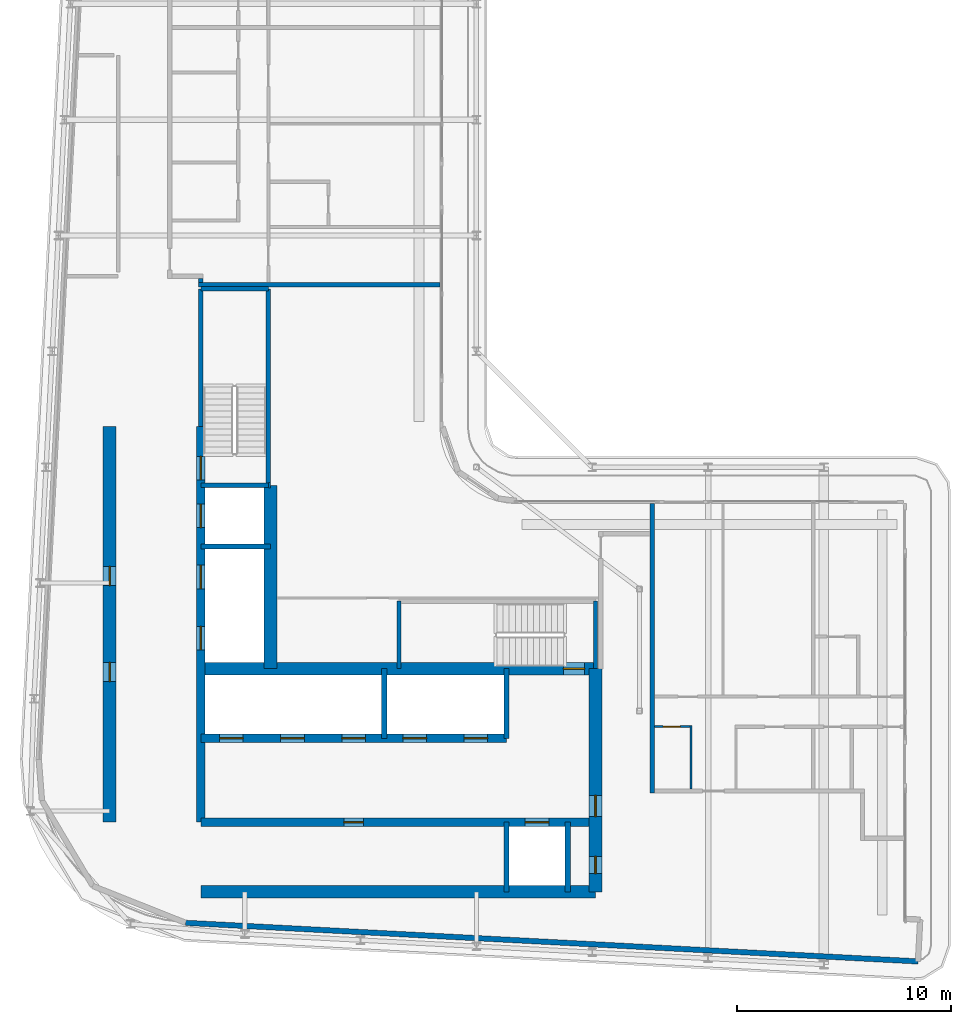
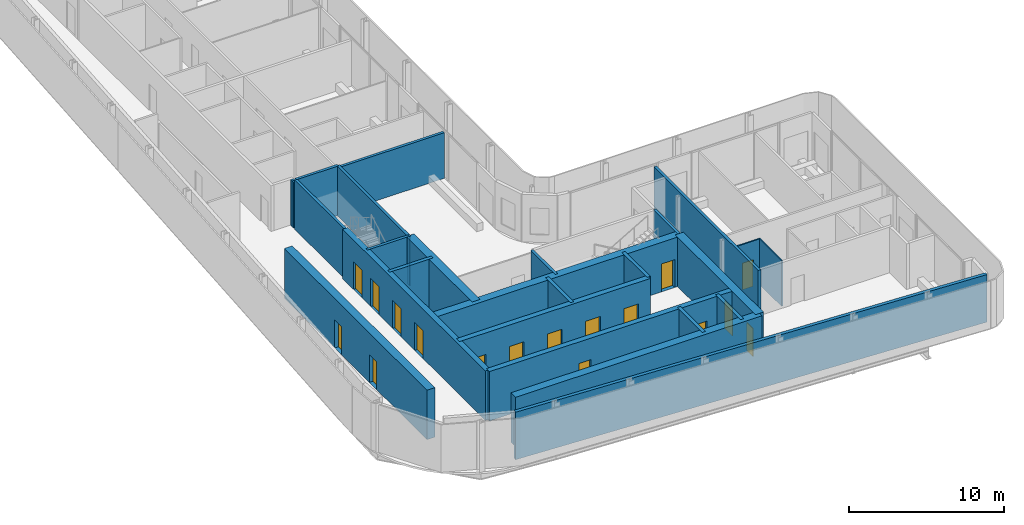
# One storey, part 11 of 21: 26 walls, 17 doors, 17 openings.
"""IFC4 building model written with IfcOpenShell, lengths in metres."""

from ifc_helpers import new_model, si_unit, direction, frame, frame_2d, origin, place, context, subcontext, project, spatial, rectangle, extrude, source, transform, mapped, material, layer, layer_set, type_object, element, fill, save


model = new_model("IFC4")

# Units and contexts
model_context = context("Model", 3, precision=1e-05, world=origin(), true_north=direction((0.0, 1.0)))
body_context = subcontext(model_context, "Body", "Model", "MODEL_VIEW")
ifc_project = project(units=[si_unit("LENGTHUNIT", "METRE"), si_unit("AREAUNIT", "SQUARE_METRE"), si_unit("VOLUMEUNIT", "CUBIC_METRE"), si_unit("PLANEANGLEUNIT", "RADIAN"), si_unit("MASSUNIT", "GRAM", prefix="KILO")], contexts=[model_context])

# Site, building, storey
site_placement = place(None, origin())
site = spatial("IfcSite", under=ifc_project, at=site_placement, CompositionType="ELEMENT")
building_placement = place(site_placement, origin())
building = spatial("IfcBuilding", under=site, at=building_placement, Name="Kheshtan School and Residences Tower", CompositionType="ELEMENT")
storey_placement = place(building_placement, frame((0.0, 0.0, 302.0)))
storey = spatial("IfcBuildingStorey", under=building, at=storey_placement, Name="L71", CompositionType="ELEMENT", Elevation=302.0)

# Wall, openings, doors
ifc_material_1 = material(Name="Concrete C50/60", Category="concrete")
ifc_layer_1 = layer(ifc_material_1, 0.39990234375)
ifc_layer_set_1 = layer_set([ifc_layer_1], Name="Core wall 400 Concrete C50/60")
wall_type_1 = type_object("IfcWallType", Name="Core wall 400 Concrete C50/60", PredefinedType="SHEAR", material=ifc_layer_set_1)
wall_1_placement = place(storey_placement, frame((34.75, 29.050048828125, 0.0), z_axis=(0.0, 0.0, 1.0), x_axis=(1.0, 0.0, 0.0)))
wall_1 = element("IfcWall", 1, at=wall_1_placement, inside=storey, type_object=wall_type_1, Name="Core wall CW-HALL-S1", PredefinedType="SHEAR", context=body_context, shape_type="SweptSolid", body=[
    extrude(rectangle(XDim=18.39990234375, YDim=0.39990234375, at=frame_2d((9.199951171875, 0.0))), origin(), (0.0, 0.0, 1.0), 3.89990234375),
])
opening_1_placement = place(wall_1_placement, frame((15.125, 0.0, 0.0)))
opening_1 = element("IfcOpeningElement", 2, at=opening_1_placement, cuts=wall_1, Name="Opening LD", PredefinedType="OPENING", context=body_context, shape_type="SweptSolid", body=[
    extrude(rectangle(XDim=1.10009765625, YDim=2.199951171875, at=frame_2d((0.550048828125, 1.10009765625))), frame((0.0, 0.2099609375, 0.0), z_axis=(0.0, -1.0, 0.0), x_axis=(1.0, 0.0, 0.0)), (0.0, 0.0, 1.0), 0.419921875),
])
opening_2_placement = place(wall_1_placement, frame((6.675048828125, 0.0, 0.0)))
opening_2 = element("IfcOpeningElement", 3, at=opening_2_placement, cuts=wall_1, Name="Opening SR90", PredefinedType="OPENING", context=body_context, shape_type="SweptSolid", body=[
    extrude(rectangle(XDim=0.89990234375, YDim=2.199951171875, at=frame_2d((0.449951171875, 1.10009765625))), frame((0.0, 0.2099609375, 0.0), z_axis=(0.0, -1.0, 0.0), x_axis=(1.0, 0.0, 0.0)), (0.0, 0.0, 1.0), 0.419921875),
])
ifc_material_2 = material(Name="Stainless steel door leaves", Category="steel")
door_type_1 = type_object("IfcDoorType", Name="Lift landing door 1100", OperationType="SLIDING_TO_LEFT", PredefinedType="DOOR", material=ifc_material_2)
shared_shape_1 = source(origin(), body_context, "Body", "SweptSolid", [
    extrude(rectangle(XDim=1.10009765625, YDim=2.199951171875, at=frame_2d((0.550048828125, 1.10009765625))), frame((0.0, 0.02490234375, 0.0), z_axis=(0.0, -1.0, 0.0), x_axis=(1.0, 0.0, 0.0)), (0.0, 0.0, 1.0), 0.050048828125),
])
door_1_placement = place(opening_1_placement, origin())
door_1 = element("IfcDoor", 4, at=door_1_placement, inside=storey, type_object=door_type_1, Name="Lift FFL2 landing door", OperationType="SLIDING_TO_LEFT", OverallHeight=2.199951171875, OverallWidth=1.10009765625, PredefinedType="DOOR", context=body_context, shape_type="MappedRepresentation", body=[
    mapped(shared_shape_1, transform((0.0, 0.0, 0.0), x_axis=(1.0, 0.0, 0.0), y_axis=(0.0, 1.0, 0.0), z_axis=(0.0, 0.0, 1.0), scale=1.0)),
])
fill(opening_1, door_1)
ifc_material_3 = material(Name="Steel door leaf, galvanised", Category="steel")
door_type_2 = type_object("IfcDoorType", Name="Service room door 900 steel 90 min", OperationType="SINGLE_SWING_LEFT", PredefinedType="DOOR", material=ifc_material_3)
shared_shape_2 = source(origin(), body_context, "Body", "SweptSolid", [
    extrude(rectangle(XDim=0.89990234375, YDim=2.199951171875, at=frame_2d((0.449951171875, 1.10009765625))), frame((0.0, 0.02490234375, 0.0), z_axis=(0.0, -1.0, 0.0), x_axis=(1.0, 0.0, 0.0)), (0.0, 0.0, 1.0), 0.050048828125),
])
door_2_placement = place(opening_2_placement, origin())
door_2 = element("IfcDoor", 5, at=door_2_placement, inside=storey, type_object=door_type_2, Name="Service room door", OperationType="SINGLE_SWING_RIGHT", OverallHeight=2.199951171875, OverallWidth=0.89990234375, PredefinedType="DOOR", context=body_context, shape_type="MappedRepresentation", body=[
    mapped(shared_shape_2, transform((0.0, 0.0, 0.0), x_axis=(1.0, 0.0, 0.0), y_axis=(0.0, 1.0, 0.0), z_axis=(0.0, 0.0, 1.0), scale=1.0)),
])
fill(opening_2, door_2)

wall_2_placement = place(storey_placement, frame((34.75, 32.949951171875, 0.0), z_axis=(0.0, 0.0, 1.0), x_axis=(1.0, 0.0, 0.0)))
wall_2 = element("IfcWall", 6, at=wall_2_placement, inside=storey, type_object=wall_type_1, Name="Core wall CW-HALL-S2", PredefinedType="SHEAR", context=body_context, shape_type="SweptSolid", body=[
    extrude(rectangle(XDim=14.25, YDim=0.39990234375, at=frame_2d((7.125, 0.0))), origin(), (0.0, 0.0, 1.0), 3.89990234375),
])
opening_3_placement = place(wall_2_placement, frame((0.875, 0.0, 0.0)))
opening_3 = element("IfcOpeningElement", 7, at=opening_3_placement, cuts=wall_2, Name="Opening LD", PredefinedType="OPENING", context=body_context, shape_type="SweptSolid", body=[
    extrude(rectangle(XDim=1.10009765625, YDim=2.199951171875, at=frame_2d((0.550048828125, 1.10009765625))), frame((0.0, 0.2099609375, 0.0), z_axis=(0.0, -1.0, 0.0), x_axis=(1.0, 0.0, 0.0)), (0.0, 0.0, 1.0), 0.419921875),
])
opening_4_placement = place(wall_2_placement, frame((3.72509765625, 0.0, 0.0)))
opening_4 = element("IfcOpeningElement", 8, at=opening_4_placement, cuts=wall_2, Name="Opening LD", PredefinedType="OPENING", context=body_context, shape_type="SweptSolid", body=[
    extrude(rectangle(XDim=1.10009765625, YDim=2.199951171875, at=frame_2d((0.550048828125, 1.10009765625))), frame((0.0, 0.2099609375, 0.0), z_axis=(0.0, -1.0, 0.0), x_axis=(1.0, 0.0, 0.0)), (0.0, 0.0, 1.0), 0.419921875),
])
opening_5_placement = place(wall_2_placement, frame((6.574951171875, 0.0, 0.0)))
opening_5 = element("IfcOpeningElement", 9, at=opening_5_placement, cuts=wall_2, Name="Opening LD", PredefinedType="OPENING", context=body_context, shape_type="SweptSolid", body=[
    extrude(rectangle(XDim=1.10009765625, YDim=2.199951171875, at=frame_2d((0.550048828125, 1.10009765625))), frame((0.0, 0.2099609375, 0.0), z_axis=(0.0, -1.0, 0.0), x_axis=(1.0, 0.0, 0.0)), (0.0, 0.0, 1.0), 0.419921875),
])
opening_6_placement = place(wall_2_placement, frame((9.425048828125, 0.0, 0.0)))
opening_6 = element("IfcOpeningElement", 10, at=opening_6_placement, cuts=wall_2, Name="Opening LD", PredefinedType="OPENING", context=body_context, shape_type="SweptSolid", body=[
    extrude(rectangle(XDim=1.10009765625, YDim=2.199951171875, at=frame_2d((0.550048828125, 1.10009765625))), frame((0.0, 0.2099609375, 0.0), z_axis=(0.0, -1.0, 0.0), x_axis=(1.0, 0.0, 0.0)), (0.0, 0.0, 1.0), 0.419921875),
])
opening_7_placement = place(wall_2_placement, frame((12.27490234375, 0.0, 0.0)))
opening_7 = element("IfcOpeningElement", 11, at=opening_7_placement, cuts=wall_2, Name="Opening LD", PredefinedType="OPENING", context=body_context, shape_type="SweptSolid", body=[
    extrude(rectangle(XDim=1.10009765625, YDim=2.199951171875, at=frame_2d((0.550048828125, 1.10009765625))), frame((0.0, 0.2099609375, 0.0), z_axis=(0.0, -1.0, 0.0), x_axis=(1.0, 0.0, 0.0)), (0.0, 0.0, 1.0), 0.419921875),
])
door_3_placement = place(opening_3_placement, origin())
door_3 = element("IfcDoor", 12, at=door_3_placement, inside=storey, type_object=door_type_1, Name="Lift P12 landing door", OperationType="SLIDING_TO_LEFT", OverallHeight=2.199951171875, OverallWidth=1.10009765625, PredefinedType="DOOR", context=body_context, shape_type="MappedRepresentation", body=[
    mapped(shared_shape_1, transform((0.0, 0.0, 0.0), x_axis=(1.0, 0.0, 0.0), y_axis=(0.0, 1.0, 0.0), z_axis=(0.0, 0.0, 1.0), scale=1.0)),
])
fill(opening_3, door_3)
door_4_placement = place(opening_4_placement, origin())
door_4 = element("IfcDoor", 13, at=door_4_placement, inside=storey, type_object=door_type_1, Name="Lift P13 landing door", OperationType="SLIDING_TO_LEFT", OverallHeight=2.199951171875, OverallWidth=1.10009765625, PredefinedType="DOOR", context=body_context, shape_type="MappedRepresentation", body=[
    mapped(shared_shape_1, transform((0.0, 0.0, 0.0), x_axis=(1.0, 0.0, 0.0), y_axis=(0.0, 1.0, 0.0), z_axis=(0.0, 0.0, 1.0), scale=1.0)),
])
fill(opening_4, door_4)
door_5_placement = place(opening_5_placement, origin())
door_5 = element("IfcDoor", 14, at=door_5_placement, inside=storey, type_object=door_type_1, Name="Lift P14 landing door", OperationType="SLIDING_TO_LEFT", OverallHeight=2.199951171875, OverallWidth=1.10009765625, PredefinedType="DOOR", context=body_context, shape_type="MappedRepresentation", body=[
    mapped(shared_shape_1, transform((0.0, 0.0, 0.0), x_axis=(1.0, 0.0, 0.0), y_axis=(0.0, 1.0, 0.0), z_axis=(0.0, 0.0, 1.0), scale=1.0)),
])
fill(opening_5, door_5)
door_6_placement = place(opening_6_placement, origin())
door_6 = element("IfcDoor", 15, at=door_6_placement, inside=storey, type_object=door_type_1, Name="Lift P15 landing door", OperationType="SLIDING_TO_LEFT", OverallHeight=2.199951171875, OverallWidth=1.10009765625, PredefinedType="DOOR", context=body_context, shape_type="MappedRepresentation", body=[
    mapped(shared_shape_1, transform((0.0, 0.0, 0.0), x_axis=(1.0, 0.0, 0.0), y_axis=(0.0, 1.0, 0.0), z_axis=(0.0, 0.0, 1.0), scale=1.0)),
])
fill(opening_6, door_6)
door_7_placement = place(opening_7_placement, origin())
door_7 = element("IfcDoor", 16, at=door_7_placement, inside=storey, type_object=door_type_1, Name="Lift P16 landing door", OperationType="SLIDING_TO_LEFT", OverallHeight=2.199951171875, OverallWidth=1.10009765625, PredefinedType="DOOR", context=body_context, shape_type="MappedRepresentation", body=[
    mapped(shared_shape_1, transform((0.0, 0.0, 0.0), x_axis=(1.0, 0.0, 0.0), y_axis=(0.0, 1.0, 0.0), z_axis=(0.0, 0.0, 1.0), scale=1.0)),
])
fill(opening_7, door_7)

wall_3_placement = place(storey_placement, frame((34.75, 29.050048828125, 0.0), z_axis=(0.0, 0.0, 1.0), x_axis=(0.0, 1.0, 0.0)))
wall_3 = element("IfcWall", 17, at=wall_3_placement, inside=storey, type_object=wall_type_1, Name="Core wall CW-HALL-W1", PredefinedType="SHEAR", context=body_context, shape_type="SweptSolid", body=[
    extrude(rectangle(XDim=18.449951171875, YDim=0.39990234375, at=frame_2d((9.22509765625, 0.0))), origin(), (0.0, 0.0, 1.0), 3.89990234375),
])
opening_8_placement = place(wall_3_placement, frame((8.02490234375, 0.0, 0.0)))
opening_8 = element("IfcOpeningElement", 18, at=opening_8_placement, cuts=wall_3, Name="Opening LD", PredefinedType="OPENING", context=body_context, shape_type="SweptSolid", body=[
    extrude(rectangle(XDim=1.10009765625, YDim=2.199951171875, at=frame_2d((0.550048828125, 1.10009765625))), frame((0.0, 0.2099609375, 0.0), z_axis=(0.0, -1.0, 0.0), x_axis=(1.0, 0.0, 0.0)), (0.0, 0.0, 1.0), 0.419921875),
])
opening_9_placement = place(wall_3_placement, frame((10.875, 0.0, 0.0)))
opening_9 = element("IfcOpeningElement", 19, at=opening_9_placement, cuts=wall_3, Name="Opening LD", PredefinedType="OPENING", context=body_context, shape_type="SweptSolid", body=[
    extrude(rectangle(XDim=1.10009765625, YDim=2.199951171875, at=frame_2d((0.550048828125, 1.10009765625))), frame((0.0, 0.2099609375, 0.0), z_axis=(0.0, -1.0, 0.0), x_axis=(1.0, 0.0, 0.0)), (0.0, 0.0, 1.0), 0.419921875),
])
opening_10_placement = place(wall_3_placement, frame((13.72509765625, 0.0, 0.0)))
opening_10 = element("IfcOpeningElement", 20, at=opening_10_placement, cuts=wall_3, Name="Opening LD", PredefinedType="OPENING", context=body_context, shape_type="SweptSolid", body=[
    extrude(rectangle(XDim=1.10009765625, YDim=2.199951171875, at=frame_2d((0.550048828125, 1.10009765625))), frame((0.0, 0.2099609375, 0.0), z_axis=(0.0, -1.0, 0.0), x_axis=(1.0, 0.0, 0.0)), (0.0, 0.0, 1.0), 0.419921875),
])
opening_11_placement = place(wall_3_placement, frame((15.949951171875, 0.0, 0.0)))
opening_11 = element("IfcOpeningElement", 21, at=opening_11_placement, cuts=wall_3, Name="Opening ST2D", PredefinedType="OPENING", context=body_context, shape_type="SweptSolid", body=[
    extrude(rectangle(XDim=1.10009765625, YDim=2.199951171875, at=frame_2d((0.550048828125, 1.10009765625))), frame((0.0, 0.2099609375, 0.0), z_axis=(0.0, -1.0, 0.0), x_axis=(1.0, 0.0, 0.0)), (0.0, 0.0, 1.0), 0.419921875),
])
door_8_placement = place(opening_8_placement, origin())
door_8 = element("IfcDoor", 22, at=door_8_placement, inside=storey, type_object=door_type_1, Name="Lift SV1 landing door", OperationType="SLIDING_TO_LEFT", OverallHeight=2.199951171875, OverallWidth=1.10009765625, PredefinedType="DOOR", context=body_context, shape_type="MappedRepresentation", body=[
    mapped(shared_shape_1, transform((0.0, 0.0, 0.0), x_axis=(1.0, 0.0, 0.0), y_axis=(0.0, 1.0, 0.0), z_axis=(0.0, 0.0, 1.0), scale=1.0)),
])
fill(opening_8, door_8)
door_9_placement = place(opening_9_placement, origin())
door_9 = element("IfcDoor", 23, at=door_9_placement, inside=storey, type_object=door_type_1, Name="Lift SV2 landing door", OperationType="SLIDING_TO_LEFT", OverallHeight=2.199951171875, OverallWidth=1.10009765625, PredefinedType="DOOR", context=body_context, shape_type="MappedRepresentation", body=[
    mapped(shared_shape_1, transform((0.0, 0.0, 0.0), x_axis=(1.0, 0.0, 0.0), y_axis=(0.0, 1.0, 0.0), z_axis=(0.0, 0.0, 1.0), scale=1.0)),
])
fill(opening_9, door_9)
door_10_placement = place(opening_10_placement, origin())
door_10 = element("IfcDoor", 24, at=door_10_placement, inside=storey, type_object=door_type_1, Name="Lift FFL1 landing door", OperationType="SLIDING_TO_LEFT", OverallHeight=2.199951171875, OverallWidth=1.10009765625, PredefinedType="DOOR", context=body_context, shape_type="MappedRepresentation", body=[
    mapped(shared_shape_1, transform((0.0, 0.0, 0.0), x_axis=(1.0, 0.0, 0.0), y_axis=(0.0, 1.0, 0.0), z_axis=(0.0, 0.0, 1.0), scale=1.0)),
])
fill(opening_10, door_10)
door_type_3 = type_object("IfcDoorType", Name="Stair door 1100 steel 90 min", OperationType="SINGLE_SWING_LEFT", PredefinedType="DOOR", material=ifc_material_3)
shared_shape_3 = source(origin(), body_context, "Body", "SweptSolid", [
    extrude(rectangle(XDim=1.10009765625, YDim=2.199951171875, at=frame_2d((0.550048828125, 1.10009765625))), frame((0.0, 0.02490234375, 0.0), z_axis=(0.0, -1.0, 0.0), x_axis=(1.0, 0.0, 0.0)), (0.0, 0.0, 1.0), 0.050048828125),
])
door_11_placement = place(opening_11_placement, origin())
door_11 = element("IfcDoor", 25, at=door_11_placement, inside=storey, type_object=door_type_3, Name="Stair ST2 door", OperationType="SINGLE_SWING_RIGHT", OverallHeight=2.199951171875, OverallWidth=1.10009765625, PredefinedType="DOOR", context=body_context, shape_type="MappedRepresentation", body=[
    mapped(shared_shape_3, transform((0.0, 0.0, 0.0), x_axis=(1.0, 0.0, 0.0), y_axis=(0.0, 1.0, 0.0), z_axis=(0.0, 0.0, 1.0), scale=1.0)),
])
fill(opening_11, door_11)

# Wall
ifc_material_4 = material(Name="Concrete C60/75", Category="concrete")
ifc_layer_2 = layer(ifc_material_4, 0.60009765625)
ifc_layer_set_2 = layer_set([ifc_layer_2], Name="Core wall 600 Concrete C60/75")
wall_type_2 = type_object("IfcWallType", Name="Core wall 600 Concrete C60/75", PredefinedType="SHEAR", material=ifc_layer_set_2)
wall_4_placement = place(storey_placement, frame((34.75, 25.800048828125, 0.0), z_axis=(0.0, 0.0, 1.0), x_axis=(1.0, 0.0, 0.0)))
element("IfcWall", 26, at=wall_4_placement, inside=storey, type_object=wall_type_2, Name="Core wall CW-REAR-S", PredefinedType="SHEAR", context=body_context, shape_type="SweptSolid", body=[
    extrude(rectangle(XDim=18.39990234375, YDim=0.60009765625, at=frame_2d((9.199951171875, 0.0))), origin(), (0.0, 0.0, 1.0), 3.89990234375),
])

# Wall, opening, door
wall_5_placement = place(storey_placement, frame((34.75, 36.199951171875, 0.0), z_axis=(0.0, 0.0, 1.0), x_axis=(1.0, 0.0, 0.0)))
wall_5 = element("IfcWall", 27, at=wall_5_placement, inside=storey, type_object=wall_type_2, Name="Core wall CW-FRONT-S", PredefinedType="SHEAR", context=body_context, shape_type="SweptSolid", body=[
    extrude(rectangle(XDim=18.39990234375, YDim=0.60009765625, at=frame_2d((9.199951171875, 0.0))), origin(), (0.0, 0.0, 1.0), 3.89990234375),
])
opening_12_placement = place(wall_5_placement, frame((16.89990234375, 0.0, 0.0)))
opening_12 = element("IfcOpeningElement", 28, at=opening_12_placement, cuts=wall_5, Name="Opening ST1D", PredefinedType="OPENING", context=body_context, shape_type="SweptSolid", body=[
    extrude(rectangle(XDim=1.0, YDim=2.199951171875, at=frame_2d((0.5, 1.10009765625))), frame((0.0, 0.31005859375, 0.0), z_axis=(0.0, -1.0, 0.0), x_axis=(1.0, 0.0, 0.0)), (0.0, 0.0, 1.0), 0.6201171875),
])
shared_shape_4 = source(origin(), body_context, "Body", "SweptSolid", [
    extrude(rectangle(XDim=1.0, YDim=2.199951171875, at=frame_2d((0.5, 1.10009765625))), frame((0.0, 0.02490234375, 0.0), z_axis=(0.0, -1.0, 0.0), x_axis=(1.0, 0.0, 0.0)), (0.0, 0.0, 1.0), 0.050048828125),
])
door_12_placement = place(opening_12_placement, origin())
door_12 = element("IfcDoor", 29, at=door_12_placement, inside=storey, type_object=door_type_3, Name="Stair ST1 door", OperationType="SINGLE_SWING_RIGHT", OverallHeight=2.199951171875, OverallWidth=1.0, PredefinedType="DOOR", context=body_context, shape_type="MappedRepresentation", body=[
    mapped(shared_shape_4, transform((0.0, 0.0, 0.0), x_axis=(1.0, 0.0, 0.0), y_axis=(0.0, 1.0, 0.0), z_axis=(0.0, 0.0, 1.0), scale=1.0)),
])
fill(opening_12, door_12)

# Wall
wall_6_placement = place(storey_placement, frame((38.0, 36.199951171875, 0.0), z_axis=(0.0, 0.0, 1.0), x_axis=(0.0, 1.0, 0.0)))
element("IfcWall", 30, at=wall_6_placement, inside=storey, type_object=wall_type_2, Name="Core wall CW-FRONT-W", PredefinedType="SHEAR", context=body_context, shape_type="SweptSolid", body=[
    extrude(rectangle(XDim=8.550048828125, YDim=0.60009765625, at=frame_2d((4.27490234375, 0.0))), origin(), (0.0, 0.0, 1.0), 3.89990234375),
])

# Wall, openings, doors
wall_7_placement = place(storey_placement, frame((30.5, 29.050048828125, 0.0), z_axis=(0.0, 0.0, 1.0), x_axis=(0.0, 1.0, 0.0)))
wall_7 = element("IfcWall", 31, at=wall_7_placement, inside=storey, type_object=wall_type_2, Name="Core wall CW-REAR-W", PredefinedType="SHEAR", context=body_context, shape_type="SweptSolid", body=[
    extrude(rectangle(XDim=18.449951171875, YDim=0.60009765625, at=frame_2d((9.22509765625, 0.0))), origin(), (0.0, 0.0, 1.0), 3.89990234375),
])
opening_13_placement = place(wall_7_placement, frame((6.550048828125, 0.0, 0.0)))
opening_13 = element("IfcOpeningElement", 32, at=opening_13_placement, cuts=wall_7, Name="Opening SR90", PredefinedType="OPENING", context=body_context, shape_type="SweptSolid", body=[
    extrude(rectangle(XDim=0.89990234375, YDim=2.199951171875, at=frame_2d((0.449951171875, 1.10009765625))), frame((0.0, 0.31005859375, 0.0), z_axis=(0.0, -1.0, 0.0), x_axis=(1.0, 0.0, 0.0)), (0.0, 0.0, 1.0), 0.6201171875),
])
opening_14_placement = place(wall_7_placement, frame((11.02490234375, 0.0, 0.0)))
opening_14 = element("IfcOpeningElement", 33, at=opening_14_placement, cuts=wall_7, Name="Opening SR90", PredefinedType="OPENING", context=body_context, shape_type="SweptSolid", body=[
    extrude(rectangle(XDim=0.89990234375, YDim=2.199951171875, at=frame_2d((0.449951171875, 1.10009765625))), frame((0.0, 0.31005859375, 0.0), z_axis=(0.0, -1.0, 0.0), x_axis=(1.0, 0.0, 0.0)), (0.0, 0.0, 1.0), 0.6201171875),
])
door_13_placement = place(opening_13_placement, origin())
door_13 = element("IfcDoor", 34, at=door_13_placement, inside=storey, type_object=door_type_2, Name="Service room door", OperationType="SINGLE_SWING_RIGHT", OverallHeight=2.199951171875, OverallWidth=0.89990234375, PredefinedType="DOOR", context=body_context, shape_type="MappedRepresentation", body=[
    mapped(shared_shape_2, transform((0.0, 0.0, 0.0), x_axis=(1.0, 0.0, 0.0), y_axis=(0.0, 1.0, 0.0), z_axis=(0.0, 0.0, 1.0), scale=1.0)),
])
fill(opening_13, door_13)
door_14_placement = place(opening_14_placement, origin())
door_14 = element("IfcDoor", 35, at=door_14_placement, inside=storey, type_object=door_type_2, Name="Service room door", OperationType="SINGLE_SWING_RIGHT", OverallHeight=2.199951171875, OverallWidth=0.89990234375, PredefinedType="DOOR", context=body_context, shape_type="MappedRepresentation", body=[
    mapped(shared_shape_2, transform((0.0, 0.0, 0.0), x_axis=(1.0, 0.0, 0.0), y_axis=(0.0, 1.0, 0.0), z_axis=(0.0, 0.0, 1.0), scale=1.0)),
])
fill(opening_14, door_14)

wall_8_placement = place(storey_placement, frame((53.14990234375, 25.800048828125, 0.0), z_axis=(0.0, 0.0, 1.0), x_axis=(0.0, 1.0, 0.0)))
wall_8 = element("IfcWall", 36, at=wall_8_placement, inside=storey, type_object=wall_type_2, Name="Core wall CW-EAST", PredefinedType="SHEAR", context=body_context, shape_type="SweptSolid", body=[
    extrude(rectangle(XDim=10.39990234375, YDim=0.60009765625, at=frame_2d((5.199951171875, 0.0))), origin(), (0.0, 0.0, 1.0), 3.89990234375),
])
opening_15_placement = place(wall_8_placement, frame((0.85009765625, 0.0, 0.0)))
opening_15 = element("IfcOpeningElement", 37, at=opening_15_placement, cuts=wall_8, Name="Opening SR80", PredefinedType="OPENING", context=body_context, shape_type="SweptSolid", body=[
    extrude(rectangle(XDim=0.800048828125, YDim=2.199951171875, at=frame_2d((0.39990234375, 1.10009765625))), frame((0.0, 0.31005859375, 0.0), z_axis=(0.0, -1.0, 0.0), x_axis=(1.0, 0.0, 0.0)), (0.0, 0.0, 1.0), 0.6201171875),
])
opening_16_placement = place(wall_8_placement, frame((3.5, 0.0, 0.0)))
opening_16 = element("IfcOpeningElement", 38, at=opening_16_placement, cuts=wall_8, Name="Opening SD91", PredefinedType="OPENING", context=body_context, shape_type="SweptSolid", body=[
    extrude(rectangle(XDim=1.0, YDim=2.199951171875, at=frame_2d((0.5, 1.10009765625))), frame((0.0, 0.31005859375, 0.0), z_axis=(0.0, -1.0, 0.0), x_axis=(1.0, 0.0, 0.0)), (0.0, 0.0, 1.0), 0.6201171875),
])
door_type_4 = type_object("IfcDoorType", Name="Service room door 800 steel 90 min", OperationType="SINGLE_SWING_LEFT", PredefinedType="DOOR", material=ifc_material_3)
shared_shape_5 = source(origin(), body_context, "Body", "SweptSolid", [
    extrude(rectangle(XDim=0.800048828125, YDim=2.199951171875, at=frame_2d((0.39990234375, 1.10009765625))), frame((0.0, 0.02490234375, 0.0), z_axis=(0.0, -1.0, 0.0), x_axis=(1.0, 0.0, 0.0)), (0.0, 0.0, 1.0), 0.050048828125),
])
door_15_placement = place(opening_15_placement, origin())
door_15 = element("IfcDoor", 39, at=door_15_placement, inside=storey, type_object=door_type_4, Name="Service room door", OperationType="SINGLE_SWING_LEFT", OverallHeight=2.199951171875, OverallWidth=0.800048828125, PredefinedType="DOOR", context=body_context, shape_type="MappedRepresentation", body=[
    mapped(shared_shape_5, transform((0.0, 0.0, 0.0), x_axis=(1.0, 0.0, 0.0), y_axis=(0.0, 1.0, 0.0), z_axis=(0.0, 0.0, 1.0), scale=1.0)),
])
fill(opening_15, door_15)
door_type_5 = type_object("IfcDoorType", Name="Firefighting lobby door 1000 steel 90 min", OperationType="SINGLE_SWING_LEFT", PredefinedType="DOOR", material=ifc_material_3)
shared_shape_6 = source(origin(), body_context, "Body", "SweptSolid", [
    extrude(rectangle(XDim=1.0, YDim=2.199951171875, at=frame_2d((0.5, 1.10009765625))), frame((0.0, 0.02490234375, 0.0), z_axis=(0.0, -1.0, 0.0), x_axis=(1.0, 0.0, 0.0)), (0.0, 0.0, 1.0), 0.050048828125),
])
door_16_placement = place(opening_16_placement, origin())
door_16 = element("IfcDoor", 40, at=door_16_placement, inside=storey, type_object=door_type_5, Name="Firefighting lobby door", OperationType="SINGLE_SWING_LEFT", OverallHeight=2.199951171875, OverallWidth=1.0, PredefinedType="DOOR", context=body_context, shape_type="MappedRepresentation", body=[
    mapped(shared_shape_6, transform((0.0, 0.0, 0.0), x_axis=(1.0, 0.0, 0.0), y_axis=(0.0, 1.0, 0.0), z_axis=(0.0, 0.0, 1.0), scale=1.0)),
])
fill(opening_16, door_16)

# Walls
ifc_material_5 = material(Name="Gypsum board on steel studs with fire boards", Category="steel")
ifc_layer_3 = layer(ifc_material_5, 0.199951171875)
ifc_layer_set_3 = layer_set([ifc_layer_3], Name="Corridor wall 200")
wall_type_3 = type_object("IfcWallType", Name="Corridor wall 200", PredefinedType="PARTITIONING", material=ifc_layer_set_3)
wall_9_placement = place(storey_placement, frame((34.75, 54.199951171875, 0.0), z_axis=(0.0, 0.0, 1.0), x_axis=(0.0, 1.0, 0.0)))
element("IfcWall", 41, at=wall_9_placement, inside=storey, type_object=wall_type_3, Name="Partition L71-017", PredefinedType="PARTITIONING", context=body_context, shape_type="SweptSolid", body=[
    extrude(rectangle(XDim=0.199951171875, YDim=0.199951171875, at=frame_2d((0.10009765625, 0.0))), origin(), (0.0, 0.0, 1.0), 3.60009765625),
])
ifc_material_6 = material(Name="Concrete C40/50 with ceramic cladding and mineral wool insulation", Category="concrete")
ifc_layer_4 = layer(ifc_material_6, 0.25)
ifc_layer_set_4 = layer_set([ifc_layer_4], Name="External wall 250 ceramic clad")
wall_type_4 = type_object("IfcWallType", Name="External wall 250 ceramic clad", PredefinedType="SOLIDWALL", material=ifc_layer_set_4)
wall_10_placement = place(storey_placement, frame((68.18603515625, 22.554931640625, 0.0), z_axis=(0.0, 0.0, 1.0), x_axis=(-0.998616468095, 0.052584690257, 0.0)))
element("IfcWall", 42, at=wall_10_placement, inside=storey, type_object=wall_type_4, Name="External wall L71 16", PredefinedType="SOLIDWALL", context=body_context, shape_type="SweptSolid", body=[
    extrude(rectangle(XDim=34.1943359375, YDim=0.25, at=frame_2d((17.09716796875, 0.0))), origin(), (0.0, 0.0, 1.0), 3.75),
])

# Wall, opening, door
ifc_material_7 = material(Name="Gypsum board on steel studs", Category="steel")
ifc_layer_5 = layer(ifc_material_7, 0.10009765625)
ifc_layer_set_5 = layer_set([ifc_layer_5], Name="Gypsum partition 100")
wall_type_5 = type_object("IfcWallType", Name="Gypsum partition 100", PredefinedType="PARTITIONING", material=ifc_layer_set_5)
wall_11_placement = place(storey_placement, frame((55.89990234375, 33.5, 0.0), z_axis=(0.0, 0.0, 1.0), x_axis=(1.0, 0.0, 0.0)))
wall_11 = element("IfcWall", 43, at=wall_11_placement, inside=storey, type_object=wall_type_5, Name="Partition L71-044", PredefinedType="PARTITIONING", context=body_context, shape_type="SweptSolid", body=[
    extrude(rectangle(XDim=1.650146484375, YDim=0.10009765625, at=frame_2d((0.8251953125, 0.0))), origin(), (0.0, 0.0, 1.0), 3.60009765625),
])
opening_17_placement = place(wall_11_placement, frame((0.39990234375, 0.0, 0.0)))
opening_17 = element("IfcOpeningElement", 44, at=opening_17_placement, cuts=wall_11, Name="Opening D70-008", PredefinedType="OPENING", context=body_context, shape_type="SweptSolid", body=[
    extrude(rectangle(XDim=0.800048828125, YDim=2.10009765625, at=frame_2d((0.39990234375, 1.050048828125))), frame((0.0, 0.06005859375, 0.0), z_axis=(0.0, -1.0, 0.0), x_axis=(1.0, 0.0, 0.0)), (0.0, 0.0, 1.0), 0.1201171875),
])
ifc_material_8 = material(Name="Veneered timber door leaf", Category="wood")
door_type_6 = type_object("IfcDoorType", Name="Door 800 x 2100", OperationType="SINGLE_SWING_LEFT", PredefinedType="DOOR", material=ifc_material_8)
shared_shape_7 = source(origin(), body_context, "Body", "SweptSolid", [
    extrude(rectangle(XDim=0.800048828125, YDim=2.10009765625, at=frame_2d((0.39990234375, 1.050048828125))), frame((0.0, 0.02490234375, 0.0), z_axis=(0.0, -1.0, 0.0), x_axis=(1.0, 0.0, 0.0)), (0.0, 0.0, 1.0), 0.050048828125),
])
door_17_placement = place(opening_17_placement, origin())
door_17 = element("IfcDoor", 45, at=door_17_placement, inside=storey, type_object=door_type_6, Name="Door D70-008", OperationType="SINGLE_SWING_RIGHT", OverallHeight=2.10009765625, OverallWidth=0.800048828125, PredefinedType="DOOR", context=body_context, shape_type="MappedRepresentation", body=[
    mapped(shared_shape_7, transform((0.0, 0.0, 0.0), x_axis=(1.0, 0.0, 0.0), y_axis=(0.0, 1.0, 0.0), z_axis=(0.0, 0.0, 1.0), scale=1.0)),
])
fill(opening_17, door_17)

# Walls
wall_12_placement = place(storey_placement, frame((57.60009765625, 30.60009765625, 0.0), z_axis=(0.0, 0.0, 1.0), x_axis=(0.0, 1.0, 0.0)))
element("IfcWall", 46, at=wall_12_placement, inside=storey, type_object=wall_type_5, Name="Partition L71-046", PredefinedType="PARTITIONING", context=body_context, shape_type="SweptSolid", body=[
    extrude(rectangle(XDim=2.949951171875, YDim=0.10009765625, at=frame_2d((1.47509765625, 0.0))), origin(), (0.0, 0.0, 1.0), 3.60009765625),
])
ifc_material_9 = material(Name="Fire-board shaft wall system")
ifc_layer_6 = layer(ifc_material_9, 0.25)
ifc_layer_set_6 = layer_set([ifc_layer_6], Name="Shaft lining wall 250")
wall_type_6 = type_object("IfcWallType", Name="Shaft lining wall 250", PredefinedType="PARTITIONING", material=ifc_layer_set_6)
for number, where, z_axis, x_axis, name in (
    (47, (43.300048828125, 32.949951171875, 0.0), (0.0, 0.0, 1.0), (0.0, 1.0, 0.0), "Shaft lining wall"),
    (48, (49.0, 25.800048828125, 0.0), (0.0, 0.0, 1.0), (0.0, 1.0, 0.0), "Shaft lining wall"),
    (49, (49.0, 32.949951171875, 0.0), (0.0, 0.0, 1.0), (0.0, 1.0, 0.0), "Shaft lining wall"),
    (50, (51.85009765625, 25.800048828125, 0.0), (0.0, 0.0, 1.0), (0.0, 1.0, 0.0), "Shaft lining wall"),
    (51, (34.75, 41.89990234375, 0.0), (0.0, 0.0, 1.0), (1.0, 0.0, 0.0), "Shaft lining wall"),
):
    element("IfcWall", number, at=place(storey_placement, frame(where, z_axis=z_axis, x_axis=x_axis)), inside=storey, type_object=wall_type_6, Name=name, PredefinedType="PARTITIONING", context=body_context, shape_type="SweptSolid", body=[
        extrude(rectangle(XDim=3.25, YDim=0.25, at=frame_2d((1.625, 0.0))), origin(), (0.0, 0.0, 1.0), 3.89990234375),
    ])
wall_13_placement = place(storey_placement, frame((37.89990234375, 44.75, 0.0), z_axis=(0.0, 0.0, 1.0), x_axis=(1.0, 0.0, 0.0)))
element("IfcWall", 52, at=wall_13_placement, inside=storey, type_object=wall_type_6, Name="Shaft lining wall", PredefinedType="PARTITIONING", context=body_context, shape_type="SweptSolid", body=[
    extrude(rectangle(XDim=0.10009765625, YDim=0.25, at=frame_2d((0.050048828125, 0.0))), origin(), (0.0, 0.0, 1.0), 3.89990234375),
])
ifc_material_10 = material(Name="Concrete C40/50", Category="concrete")
ifc_layer_7 = layer(ifc_material_10, 0.199951171875)
ifc_layer_set_7 = layer_set([ifc_layer_7], Name="Stair enclosure wall 200 Concrete C40/50")
wall_type_7 = type_object("IfcWallType", Name="Stair enclosure wall 200 Concrete C40/50", PredefinedType="SHEAR", material=ifc_layer_set_7)
for number, where, z_axis, x_axis, name in (
    (53, (43.989990234375, 36.199951171875, 0.0), (0.0, 0.0, 1.0), (0.0, 1.0, 0.0), "Stair enclosure wall ST1"),
    (54, (53.14990234375, 36.199951171875, 0.0), (0.0, 0.0, 1.0), (0.0, 1.0, 0.0), "Stair enclosure wall ST1"),
):
    element("IfcWall", number, at=place(storey_placement, frame(where, z_axis=z_axis, x_axis=x_axis)), inside=storey, type_object=wall_type_7, Name=name, PredefinedType="SHEAR", context=body_context, shape_type="SweptSolid", body=[
        extrude(rectangle(XDim=3.150146484375, YDim=0.199951171875, at=frame_2d((1.5751953125, 0.0))), origin(), (0.0, 0.0, 1.0), 3.89990234375),
    ])
for number, where, z_axis, x_axis, name in (
    (55, (34.75, 44.75, 0.0), (0.0, 0.0, 1.0), (1.0, 0.0, 0.0), "Stair enclosure wall ST2"),
    (56, (34.75, 53.909912109375, 0.0), (0.0, 0.0, 1.0), (1.0, 0.0, 0.0), "Stair enclosure wall ST2"),
):
    element("IfcWall", number, at=place(storey_placement, frame(where, z_axis=z_axis, x_axis=x_axis)), inside=storey, type_object=wall_type_7, Name=name, PredefinedType="SHEAR", context=body_context, shape_type="SweptSolid", body=[
        extrude(rectangle(XDim=3.14990234375, YDim=0.199951171875, at=frame_2d((1.574951171875, 0.0))), origin(), (0.0, 0.0, 1.0), 3.89990234375),
    ])
wall_14_placement = place(storey_placement, frame((34.75, 47.5, 0.0), z_axis=(0.0, 0.0, 1.0), x_axis=(0.0, 1.0, 0.0)))
element("IfcWall", 57, at=wall_14_placement, inside=storey, type_object=wall_type_7, Name="Stair enclosure wall ST2", PredefinedType="SHEAR", context=body_context, shape_type="SweptSolid", body=[
    extrude(rectangle(XDim=6.409912109375, YDim=0.199951171875, at=frame_2d((3.205078125, 0.0))), origin(), (0.0, 0.0, 1.0), 3.89990234375),
])
wall_15_placement = place(storey_placement, frame((37.89990234375, 44.75, 0.0), z_axis=(0.0, 0.0, 1.0), x_axis=(0.0, 1.0, 0.0)))
element("IfcWall", 58, at=wall_15_placement, inside=storey, type_object=wall_type_7, Name="Stair enclosure wall ST2", PredefinedType="SHEAR", context=body_context, shape_type="SweptSolid", body=[
    extrude(rectangle(XDim=9.159912109375, YDim=0.199951171875, at=frame_2d((4.580078125, 0.0))), origin(), (0.0, 0.0, 1.0), 3.89990234375),
])
ifc_material_11 = material(Name="Twin gypsum board on steel studs with mineral wool", Category="steel")
ifc_layer_8 = layer(ifc_material_11, 0.199951171875)
ifc_layer_set_8 = layer_set([ifc_layer_8], Name="Unit demising wall 200")
wall_type_8 = type_object("IfcWallType", Name="Unit demising wall 200", PredefinedType="PARTITIONING", material=ifc_layer_set_8)
wall_16_placement = place(storey_placement, frame((34.64990234375, 54.10009765625, 0.0), z_axis=(0.0, 0.0, 1.0), x_axis=(1.0, 0.0, 0.0)))
element("IfcWall", 59, at=wall_16_placement, inside=storey, type_object=wall_type_8, Name="Partition L71-016", PredefinedType="PARTITIONING", context=body_context, shape_type="SweptSolid", body=[
    extrude(rectangle(XDim=11.25, YDim=0.199951171875, at=frame_2d((5.625, 0.0))), origin(), (0.0, 0.0, 1.0), 3.60009765625),
])
wall_17_placement = place(storey_placement, frame((55.800048828125, 30.39990234375, 0.0), z_axis=(0.0, 0.0, 1.0), x_axis=(0.0, 1.0, 0.0)))
element("IfcWall", 60, at=wall_17_placement, inside=storey, type_object=wall_type_8, Name="Partition L71-042", PredefinedType="PARTITIONING", context=body_context, shape_type="SweptSolid", body=[
    extrude(rectangle(XDim=13.5, YDim=0.199951171875, at=frame_2d((6.75, 0.0))), origin(), (0.0, 0.0, 1.0), 3.60009765625),
])

save(model, "model.ifc")
